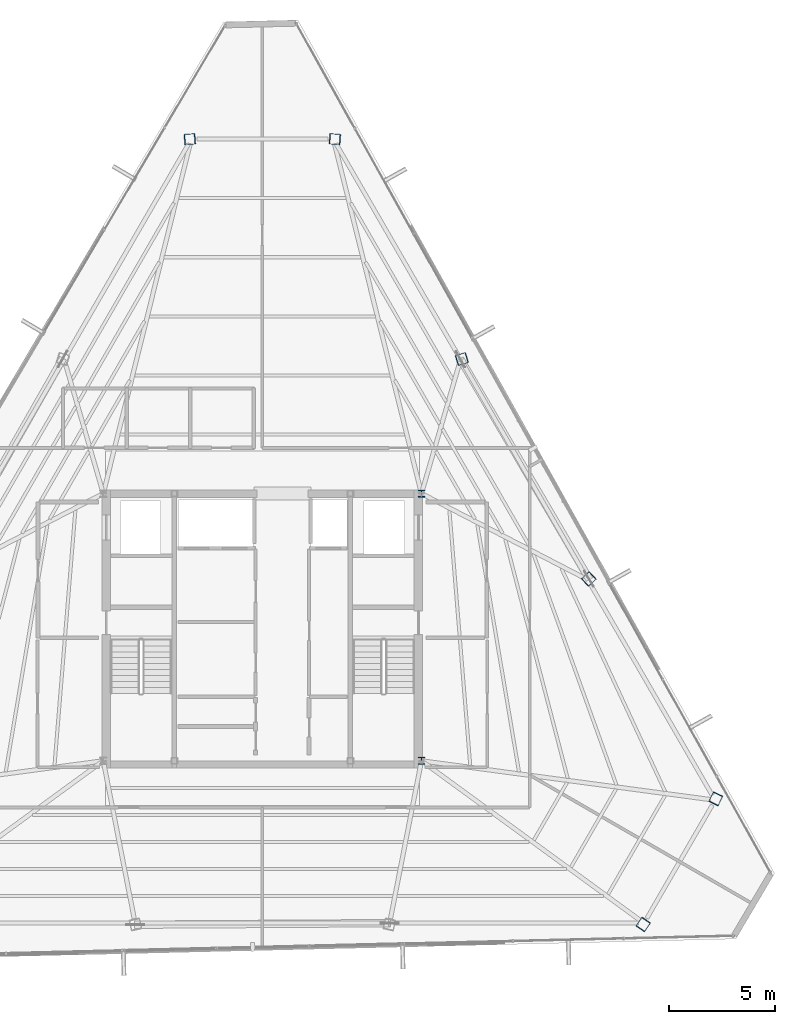
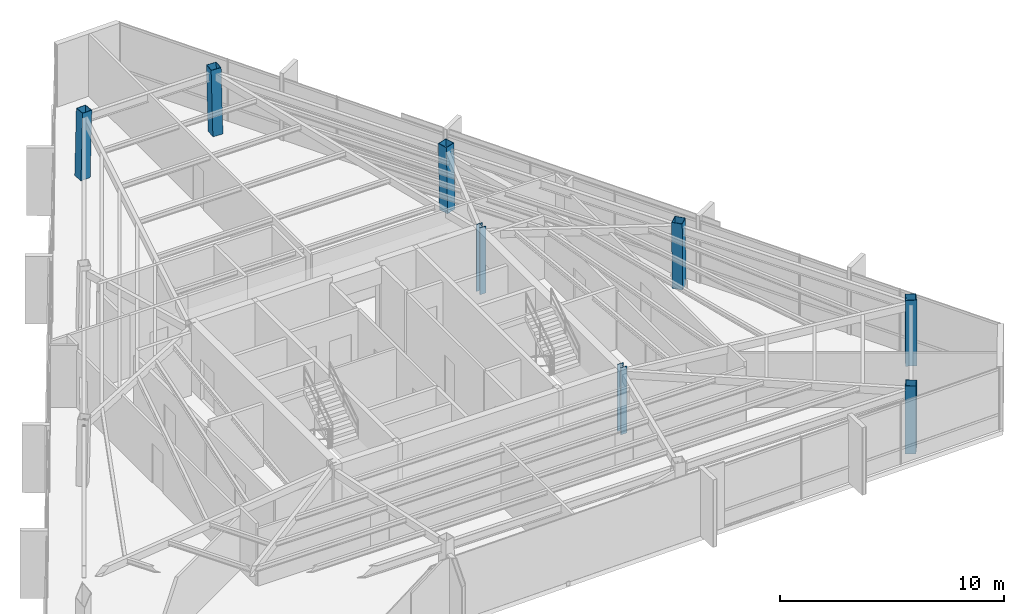
# One storey, part 2 of 45: 8 columns.
"""IFC4 building model written with IfcOpenShell, lengths in metres."""

from ifc_helpers import new_model, si_unit, direction, frame, origin, origin_2d, place, context, subcontext, project, spatial, hollow_rectangle, i_section, extrude, source, transform, mapped, material, material_profile, profile_set, type_object, type_shapes, element, save


model = new_model("IFC4")

# Units and contexts
model_context = context("Model", 3, precision=1e-05, world=origin(), true_north=direction((0.0, 1.0)))
body_context = subcontext(model_context, "Body", "Model", "MODEL_VIEW")
ifc_project = project(units=[si_unit("LENGTHUNIT", "METRE"), si_unit("AREAUNIT", "SQUARE_METRE"), si_unit("VOLUMEUNIT", "CUBIC_METRE"), si_unit("PLANEANGLEUNIT", "RADIAN"), si_unit("MASSUNIT", "GRAM", prefix="KILO")], contexts=[model_context])

# Site, building, storey
site_placement = place(None, origin())
site = spatial("IfcSite", under=ifc_project, at=site_placement, CompositionType="ELEMENT")
building_placement = place(site_placement, origin())
building = spatial("IfcBuilding", under=site, at=building_placement, Name="Caelisora Broadcast Tower", CompositionType="ELEMENT")
storey_placement = place(building_placement, frame((0.0, 0.0, 273.64990234375)))
storey = spatial("IfcBuildingStorey", under=building, at=storey_placement, Name="L72", CompositionType="ELEMENT", Elevation=273.64990234375)

# Columns
ifc_material_1 = material(Name="Steel Grade 350 (AS/NZS 3679.1)", Category="steel")
ifc_material_profile_1 = material_profile(ifc_material_1, i_section(OverallWidth=0.31103515625, OverallDepth=0.3271484375, WebThickness=0.015625, FlangeThickness=0.02490234375, at=origin_2d()), Name="Steel Grade 350 (AS/NZS 3679.1)")
ifc_profile_set_1 = profile_set([ifc_material_profile_1], Name="Steel Grade 350 (AS/NZS 3679.1)")
column_type_1 = type_object("IfcColumnType", Name="CC03", PredefinedType="COLUMN", material=ifc_profile_set_1)
shared_shape_1 = source(origin(), body_context, "Body", "SweptSolid", [
    extrude(i_section(OverallWidth=0.31103515625, OverallDepth=0.3271484375, WebThickness=0.015625, FlangeThickness=0.02490234375, at=origin_2d()), origin(), (0.0, 0.0, 1.0), 3.650146484375),
])
type_shapes(column_type_1, [shared_shape_1])
for number, where, z_axis, x_axis, name in (
    (1, (45.5, 17.39990234375, 0.0), (0.0, 0.0, 1.0), (1.0, 0.0, 0.0), "L72 column CC03"),
    (2, (45.5, 30.0, 0.0), (0.0, 0.0, 1.0), (1.0, 0.0, 0.0), "L72 column CC03"),
):
    element("IfcColumn", number, at=place(storey_placement, frame(where, z_axis=z_axis, x_axis=x_axis)), inside=storey, type_object=column_type_1, Name=name, PredefinedType="COLUMN", context=body_context, shape_type="MappedRepresentation", body=[
        mapped(shared_shape_1, transform((0.0, 0.0, 0.0), scale=1.0)),
    ])
ifc_material_2 = material(Name="Steel Grade 350 L15 (AS/NZS 3678)", Category="steel")
ifc_material_profile_2 = material_profile(ifc_material_2, hollow_rectangle(XDim=0.5, YDim=0.5, WallThickness=0.02001953125, at=origin_2d()), Name="Steel Grade 350 L15 (AS/NZS 3678)")
ifc_profile_set_2 = profile_set([ifc_material_profile_2], Name="Steel Grade 350 L15 (AS/NZS 3678)")
column_type_2 = type_object("IfcColumnType", Name="MC07", PredefinedType="COLUMN", material=ifc_profile_set_2)
shared_shape_2 = source(origin(), body_context, "Body", "SweptSolid", [
    extrude(hollow_rectangle(XDim=0.5, YDim=0.5, WallThickness=0.02001953125, at=origin_2d()), origin(), (0.0, 0.0, 1.0), 3.651123046875),
])
for number, where, z_axis, x_axis, name in (
    (3, (41.433837890625, 46.705078125, 0.0), (-0.023871161178, 0.00173851594, 0.999713531581), (-0.07263675076, -0.997358462359, 0.0), "L72 column MC07"),
    (4, (34.566162109375, 46.705078125, 0.0), (0.023871161178, 0.00173851594, 0.999713531581), (-0.07263675076, 0.997358462359, 0.0), "L72 column MC07"),
    (5, (55.9462890625, 9.673583984375, 0.0), (0.013440068782, 0.019792340097, 0.999713772949), (-0.827290216258, 0.561774775229, 0.0), "L72 column MC07"),
    (6, (59.380126953125, 15.621337890625, 0.0), (-0.010431083049, -0.021597691184, 0.999712324742), (0.900476348161, -0.434904985489, 0.0), "L72 column MC07"),
):
    element("IfcColumn", number, at=place(storey_placement, frame(where, z_axis=z_axis, x_axis=x_axis)), inside=storey, type_object=column_type_2, Name=name, PredefinedType="COLUMN", context=body_context, shape_type="MappedRepresentation", body=[
        mapped(shared_shape_2, transform((0.0, 0.0, 0.0), scale=1.0)),
    ])
shared_shape_3 = source(origin(), body_context, "Body", "SweptSolid", [
    extrude(hollow_rectangle(XDim=0.5, YDim=0.5, WallThickness=0.02001953125, at=origin_2d()), origin(), (0.0, 0.0, 1.0), 3.65087890625),
])
type_shapes(column_type_2, [shared_shape_2, shared_shape_3])
for number, where, z_axis, x_axis, name in (
    (7, (53.39794921875, 25.982666015625, 0.0), (-0.014912302561, -0.01384236157, 0.999792984702), (0.680325028146, -0.732910537568, 0.0), "L72 column MC07"),
    (8, (47.416015625, 36.34375, 0.0), (-0.019392704612, -0.005951554174, 0.999794229835), (0.293390827749, -0.9559925848, 0.0), "L72 column MC07"),
):
    element("IfcColumn", number, at=place(storey_placement, frame(where, z_axis=z_axis, x_axis=x_axis)), inside=storey, type_object=column_type_2, Name=name, PredefinedType="COLUMN", context=body_context, shape_type="MappedRepresentation", body=[
        mapped(shared_shape_3, transform((0.0, 0.0, 0.0), scale=1.0)),
    ])

save(model, "model.ifc")
